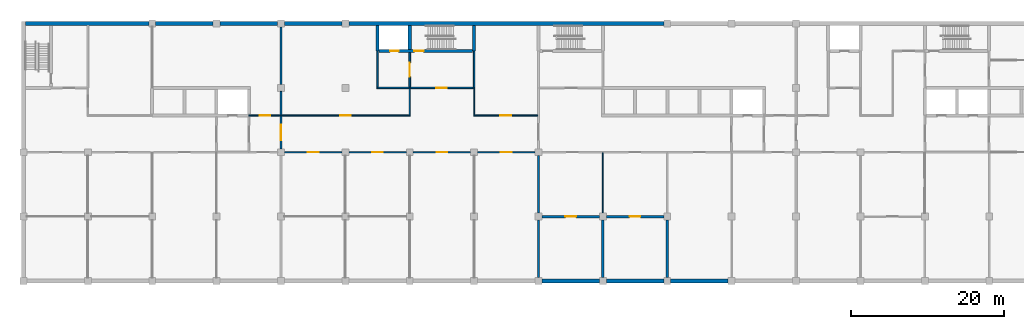
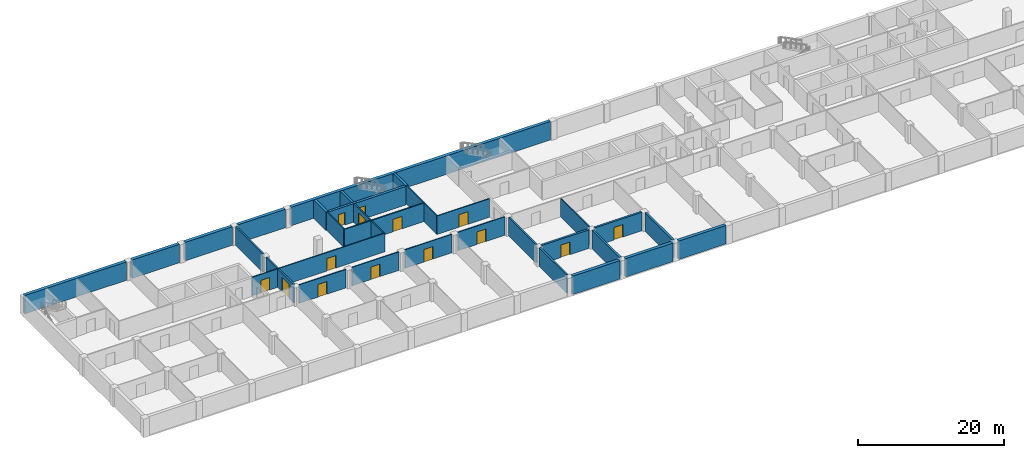
# One storey, part 3 of 12: 34 walls, 14 doors, 14 openings.
"""IFC4 building model written with IfcOpenShell, lengths in metres."""

from ifc_helpers import new_model, si_unit, direction, frame, frame_2d, origin, place, context, subcontext, project, spatial, rectangle, extrude, material, layer, layer_set, type_object, element, fill, save


model = new_model("IFC4")

# Units and contexts
model_context = context("Model", 3, precision=1e-05, world=origin(), true_north=direction((0.0, 1.0)))
body_context = subcontext(model_context, "Body", "Model", "MODEL_VIEW")
ifc_project = project(units=[si_unit("LENGTHUNIT", "METRE"), si_unit("AREAUNIT", "SQUARE_METRE"), si_unit("VOLUMEUNIT", "CUBIC_METRE"), si_unit("PLANEANGLEUNIT", "RADIAN"), si_unit("MASSUNIT", "GRAM", prefix="KILO")], contexts=[model_context])

# Site, building, storey
site_placement = place(None, origin())
site = spatial("IfcSite", under=ifc_project, at=site_placement, CompositionType="ELEMENT")
building_placement = place(site_placement, origin())
building = spatial("IfcBuilding", under=site, at=building_placement, Name="Yavir Park General Hospital", CompositionType="ELEMENT")
storey_placement = place(building_placement, frame((0.0, 0.0, -7.800048828125)))
storey = spatial("IfcBuildingStorey", under=building, at=storey_placement, Name="B2", CompositionType="ELEMENT", Elevation=-7.800048828125)

# Wall, opening, door
ifc_material_1 = material(Name="Block wall with 100 mm insulated panel lining")
ifc_layer_1 = layer(ifc_material_1, 0.320068359375)
ifc_layer_set_1 = layer_set([ifc_layer_1], Name="Block wall with 100 mm insulated panel lining")
wall_type_1 = type_object("IfcWallType", Name="Cold-store insulated wall 320, EI 60", PredefinedType="SOLIDWALL", material=ifc_layer_set_1)
wall_1_placement = place(storey_placement, frame((67.64990234375, 8.39990234375, 0.0), z_axis=(0.0, 0.0, 1.0), x_axis=(1.0, 0.0, 0.0)))
wall_1 = element("IfcWall", 1, at=wall_1_placement, inside=storey, type_object=wall_type_1, Name="CS320 B2-005", PredefinedType="SOLIDWALL", context=body_context, shape_type="SweptSolid", body=[
    extrude(rectangle(XDim=7.5, YDim=0.320068359375, at=frame_2d((3.75, 0.0))), origin(), (0.0, 0.0, 1.0), 3.10009765625),
])
opening_1_placement = place(wall_1_placement, frame((3.050048828125, 0.0, 0.0)))
opening_1 = element("IfcOpeningElement", 2, at=opening_1_placement, cuts=wall_1, Name="Opening B2.D005", PredefinedType="OPENING", context=body_context, shape_type="SweptSolid", body=[
    extrude(rectangle(XDim=1.39990234375, YDim=2.10009765625, at=frame_2d((0.699951171875, 1.050048828125))), frame((0.0, 0.169921875, 0.0), z_axis=(0.0, -1.0, 0.0), x_axis=(1.0, 0.0, 0.0)), (0.0, 0.0, 1.0), 0.340087890625),
])
ifc_material_2 = material(Name="Insulated sandwich-panel leaves, 100 mm polyurethane core")
door_type_1 = type_object("IfcDoorType", Name="Insulated cold-store door 1400 x 2100, EI 60", OperationType="DOUBLE_DOOR_SINGLE_SWING", PredefinedType="DOOR", material=ifc_material_2)
door_1_placement = place(opening_1_placement, origin())
door_1 = element("IfcDoor", 3, at=door_1_placement, inside=storey, type_object=door_type_1, Name="B2.D005", OperationType="SINGLE_SWING_LEFT", OverallHeight=2.10009765625, OverallWidth=1.39990234375, PredefinedType="DOOR", context=body_context, shape_type="SweptSolid", body=[
    extrude(rectangle(XDim=1.39990234375, YDim=2.10009765625, at=frame_2d((0.699951171875, 1.050048828125))), frame((0.0, 0.050048828125, 0.0), z_axis=(0.0, -1.0, 0.0), x_axis=(1.0, 0.0, 0.0)), (0.0, 0.0, 1.0), 0.10009765625),
])
fill(opening_1, door_1)

wall_2_placement = place(storey_placement, frame((76.050048828125, 8.39990234375, 0.0), z_axis=(0.0, 0.0, 1.0), x_axis=(1.0, 0.0, 0.0)))
wall_2 = element("IfcWall", 4, at=wall_2_placement, inside=storey, type_object=wall_type_1, Name="CS320 B2-006", PredefinedType="SOLIDWALL", context=body_context, shape_type="SweptSolid", body=[
    extrude(rectangle(XDim=7.5, YDim=0.320068359375, at=frame_2d((3.75, 0.0))), origin(), (0.0, 0.0, 1.0), 3.10009765625),
])
opening_2_placement = place(wall_2_placement, frame((3.050048828125, 0.0, 0.0)))
opening_2 = element("IfcOpeningElement", 5, at=opening_2_placement, cuts=wall_2, Name="Opening B2.D006", PredefinedType="OPENING", context=body_context, shape_type="SweptSolid", body=[
    extrude(rectangle(XDim=1.39990234375, YDim=2.10009765625, at=frame_2d((0.699951171875, 1.050048828125))), frame((0.0, 0.169921875, 0.0), z_axis=(0.0, -1.0, 0.0), x_axis=(1.0, 0.0, 0.0)), (0.0, 0.0, 1.0), 0.340087890625),
])
door_2_placement = place(opening_2_placement, origin())
door_2 = element("IfcDoor", 6, at=door_2_placement, inside=storey, type_object=door_type_1, Name="B2.D006", OperationType="SINGLE_SWING_LEFT", OverallHeight=2.10009765625, OverallWidth=1.39990234375, PredefinedType="DOOR", context=body_context, shape_type="SweptSolid", body=[
    extrude(rectangle(XDim=1.39990234375, YDim=2.10009765625, at=frame_2d((0.699951171875, 1.050048828125))), frame((0.0, 0.050048828125, 0.0), z_axis=(0.0, -1.0, 0.0), x_axis=(1.0, 0.0, 0.0)), (0.0, 0.0, 1.0), 0.10009765625),
])
fill(opening_2, door_2)

# Walls
for number, where, z_axis, x_axis, name in (
    (7, (75.60009765625, 0.449951171875, 0.0), (0.0, 0.0, 1.0), (0.0, 1.0, 0.0), "CS320 B2-093"),
    (8, (84.0, 0.449951171875, 0.0), (0.0, 0.0, 1.0), (0.0, 1.0, 0.0), "CS320 B2-099"),
):
    element("IfcWall", number, at=place(storey_placement, frame(where, z_axis=z_axis, x_axis=x_axis)), inside=storey, type_object=wall_type_1, Name=name, PredefinedType="SOLIDWALL", context=body_context, shape_type="SweptSolid", body=[
        extrude(rectangle(XDim=7.5, YDim=0.320068359375, at=frame_2d((3.75, 0.0))), origin(), (0.0, 0.0, 1.0), 3.10009765625),
    ])

# Wall, opening, door
ifc_material_3 = material(Name="Concrete C30/37", Category="concrete")
ifc_layer_2 = layer(ifc_material_3, 0.25)
ifc_layer_set_2 = layer_set([ifc_layer_2], Name="Concrete C30/37")
wall_type_2 = type_object("IfcWallType", Name="Compartment fire wall 250, REI 150", PredefinedType="SOLIDWALL", material=ifc_layer_set_2)
wall_3_placement = place(storey_placement, frame((33.60009765625, 17.25, 0.0), z_axis=(0.0, 0.0, 1.0), x_axis=(0.0, 1.0, 0.0)))
wall_3 = element("IfcWall", 9, at=wall_3_placement, inside=storey, type_object=wall_type_2, Name="FW25 B2-072", PredefinedType="SOLIDWALL", context=body_context, shape_type="SweptSolid", body=[
    extrude(rectangle(XDim=4.27490234375, YDim=0.25, at=frame_2d((2.137451171875, 0.0))), origin(), (0.0, 0.0, 1.0), 3.10009765625),
])
opening_3_placement = place(wall_3_placement, frame((1.137451171875, 0.0, 0.0)))
opening_3 = element("IfcOpeningElement", 10, at=opening_3_placement, cuts=wall_3, Name="Opening B2.D058", PredefinedType="OPENING", context=body_context, shape_type="SweptSolid", body=[
    extrude(rectangle(XDim=2.0, YDim=2.39990234375, at=frame_2d((1.0, 1.199951171875))), frame((0.0, 0.135009765625, 0.0), z_axis=(0.0, -1.0, 0.0), x_axis=(1.0, 0.0, 0.0)), (0.0, 0.0, 1.0), 0.27001953125),
])
ifc_material_4 = material(Name="Steel frame, fire-resisting leaves with vision panels", Category="steel")
door_type_2 = type_object("IfcDoorType", Name="Double fire door with vision panels 2000 x 2400, EI 60", OperationType="DOUBLE_DOOR_SINGLE_SWING", PredefinedType="DOOR", material=ifc_material_4)
door_3_placement = place(opening_3_placement, origin())
door_3 = element("IfcDoor", 11, at=door_3_placement, inside=storey, type_object=door_type_2, Name="B2.D058", OperationType="SINGLE_SWING_LEFT", OverallHeight=2.39990234375, OverallWidth=2.0, PredefinedType="DOOR", context=body_context, shape_type="SweptSolid", body=[
    extrude(rectangle(XDim=2.0, YDim=2.39990234375, at=frame_2d((1.0, 1.199951171875))), frame((0.0, 0.030029296875, 0.0), z_axis=(0.0, -1.0, 0.0), x_axis=(1.0, 0.0, 0.0)), (0.0, 0.0, 1.0), 0.06005859375),
])
fill(opening_3, door_3)

# Walls
wall_4_placement = place(storey_placement, frame((33.60009765625, 21.675048828125, 0.0), z_axis=(0.0, 0.0, 1.0), x_axis=(0.0, 1.0, 0.0)))
element("IfcWall", 12, at=wall_4_placement, inside=storey, type_object=wall_type_2, Name="FW25 B2-073", PredefinedType="SOLIDWALL", context=body_context, shape_type="SweptSolid", body=[
    extrude(rectangle(XDim=3.074951171875, YDim=0.25, at=frame_2d((1.53759765625, 0.0))), origin(), (0.0, 0.0, 1.0), 3.10009765625),
])
for number, where, z_axis, x_axis, name in (
    (13, (33.60009765625, 25.64990234375, 0.0), (0.0, 0.0, 1.0), (0.0, 1.0, 0.0), "FW25 B2-074"),
    (14, (67.199951171875, 0.449951171875, 0.0), (0.0, 0.0, 1.0), (0.0, 1.0, 0.0), "FW25 B2-089"),
    (15, (67.199951171875, 8.85009765625, 0.0), (0.0, 0.0, 1.0), (0.0, 1.0, 0.0), "FW25 B2-090"),
):
    element("IfcWall", number, at=place(storey_placement, frame(where, z_axis=z_axis, x_axis=x_axis)), inside=storey, type_object=wall_type_2, Name=name, PredefinedType="SOLIDWALL", context=body_context, shape_type="SweptSolid", body=[
        extrude(rectangle(XDim=7.5, YDim=0.25, at=frame_2d((3.75, 0.0))), origin(), (0.0, 0.0, 1.0), 3.10009765625),
    ])

# Wall, opening, door
ifc_material_5 = material(Name="Double gypsum board fire partition on steel studs", Category="steel")
ifc_layer_3 = layer(ifc_material_5, 0.199951171875)
ifc_layer_set_3 = layer_set([ifc_layer_3], Name="Double gypsum board fire partition on steel studs")
wall_type_3 = type_object("IfcWallType", Name="Fire-rated partition 200, EI 60", PredefinedType="PARTITIONING", material=ifc_layer_set_3)
wall_5_placement = place(storey_placement, frame((46.10009765625, 25.199951171875, 0.0), z_axis=(0.0, 0.0, 1.0), x_axis=(1.0, 0.0, 0.0)))
wall_5 = element("IfcWall", 16, at=wall_5_placement, inside=storey, type_object=wall_type_3, Name="FP20 B2-040", PredefinedType="PARTITIONING", context=body_context, shape_type="SweptSolid", body=[
    extrude(rectangle(XDim=12.599853515625, YDim=0.199951171875, at=frame_2d((6.2998046875, 0.0))), origin(), (0.0, 0.0, 1.0), 3.10009765625),
])
opening_4_placement = place(wall_5_placement, frame((7.75, 0.0, 0.0)))
opening_4 = element("IfcOpeningElement", 17, at=opening_4_placement, cuts=wall_5, Name="Opening B2.D041", PredefinedType="OPENING", context=body_context, shape_type="SweptSolid", body=[
    extrude(rectangle(XDim=1.39990234375, YDim=2.10009765625, at=frame_2d((0.699951171875, 1.050048828125))), frame((0.0, 0.10986328125, 0.0), z_axis=(0.0, -1.0, 0.0), x_axis=(1.0, 0.0, 0.0)), (0.0, 0.0, 1.0), 0.219970703125),
])
ifc_material_6 = material(Name="Steel frame, fire-resisting leaves with vision panels", Category="steel")
door_type_3 = type_object("IfcDoorType", Name="Double fire door with vision panels 1400 x 2100, EI 60", OperationType="DOUBLE_DOOR_SINGLE_SWING", PredefinedType="DOOR", material=ifc_material_6)
door_4_placement = place(opening_4_placement, origin())
door_4 = element("IfcDoor", 18, at=door_4_placement, inside=storey, type_object=door_type_3, Name="B2.D041", OperationType="SINGLE_SWING_RIGHT", OverallHeight=2.10009765625, OverallWidth=1.39990234375, PredefinedType="DOOR", context=body_context, shape_type="SweptSolid", body=[
    extrude(rectangle(XDim=1.39990234375, YDim=2.10009765625, at=frame_2d((0.699951171875, 1.050048828125))), frame((0.0, 0.030029296875, 0.0), z_axis=(0.0, -1.0, 0.0), x_axis=(1.0, 0.0, 0.0)), (0.0, 0.0, 1.0), 0.06005859375),
])
fill(opening_4, door_4)

# Wall
wall_6_placement = place(storey_placement, frame((46.199951171875, 25.300048828125, 0.0), z_axis=(0.0, 0.0, 1.0), x_axis=(0.0, 1.0, 0.0)))
element("IfcWall", 19, at=wall_6_placement, inside=storey, type_object=wall_type_3, Name="FP20 B2-077", PredefinedType="PARTITIONING", context=body_context, shape_type="SweptSolid", body=[
    extrude(rectangle(XDim=4.699951171875, YDim=0.199951171875, at=frame_2d((2.35009765625, 0.0))), origin(), (0.0, 0.0, 1.0), 3.10009765625),
])

# Wall, opening, door
wall_7_placement = place(storey_placement, frame((50.39990234375, 25.300048828125, 0.0), z_axis=(0.0, 0.0, 1.0), x_axis=(0.0, 1.0, 0.0)))
wall_7 = element("IfcWall", 20, at=wall_7_placement, inside=storey, type_object=wall_type_3, Name="FP20 B2-082", PredefinedType="PARTITIONING", context=body_context, shape_type="SweptSolid", body=[
    extrude(rectangle(XDim=4.5, YDim=0.199951171875, at=frame_2d((2.25, 0.0))), origin(), (0.0, 0.0, 1.0), 3.10009765625),
])
opening_5_placement = place(wall_7_placement, frame((1.35009765625, 0.0, 0.0)))
opening_5 = element("IfcOpeningElement", 21, at=opening_5_placement, cuts=wall_7, Name="Opening B2.D059", PredefinedType="OPENING", context=body_context, shape_type="SweptSolid", body=[
    extrude(rectangle(XDim=1.800048828125, YDim=2.39990234375, at=frame_2d((0.89990234375, 1.199951171875))), frame((0.0, 0.10986328125, 0.0), z_axis=(0.0, -1.0, 0.0), x_axis=(1.0, 0.0, 0.0)), (0.0, 0.0, 1.0), 0.219970703125),
])
ifc_material_7 = material(Name="Steel frame, fire-resisting timber leaves", Category="steel")
door_type_4 = type_object("IfcDoorType", Name="Double fire door 1800 x 2400, EI 60", OperationType="DOUBLE_DOOR_SINGLE_SWING", PredefinedType="DOOR", material=ifc_material_7)
door_5_placement = place(opening_5_placement, origin())
door_5 = element("IfcDoor", 22, at=door_5_placement, inside=storey, type_object=door_type_4, Name="B2.D059", OperationType="SINGLE_SWING_LEFT", OverallHeight=2.39990234375, OverallWidth=1.800048828125, PredefinedType="DOOR", context=body_context, shape_type="SweptSolid", body=[
    extrude(rectangle(XDim=1.800048828125, YDim=2.39990234375, at=frame_2d((0.89990234375, 1.199951171875))), frame((0.0, 0.02490234375, 0.0), z_axis=(0.0, -1.0, 0.0), x_axis=(1.0, 0.0, 0.0)), (0.0, 0.0, 1.0), 0.050048828125),
])
fill(opening_5, door_5)

# Wall
wall_8_placement = place(storey_placement, frame((58.800048828125, 25.199951171875, 0.0), z_axis=(0.0, 0.0, 1.0), x_axis=(0.0, 1.0, 0.0)))
element("IfcWall", 23, at=wall_8_placement, inside=storey, type_object=wall_type_3, Name="FP20 B2-087", PredefinedType="PARTITIONING", context=body_context, shape_type="SweptSolid", body=[
    extrude(rectangle(XDim=4.800048828125, YDim=0.199951171875, at=frame_2d((2.39990234375, 0.0))), origin(), (0.0, 0.0, 1.0), 3.10009765625),
])

# Wall, opening, door
ifc_material_8 = material(Name="Gypsum board partition on steel studs", Category="steel")
ifc_layer_4 = layer(ifc_material_8, 0.14990234375)
ifc_layer_set_4 = layer_set([ifc_layer_4], Name="Gypsum board partition on steel studs")
wall_type_4 = type_object("IfcWallType", Name="Gypsum board partition 150", PredefinedType="PARTITIONING", material=ifc_layer_set_4)
wall_9_placement = place(storey_placement, frame((34.050048828125, 16.800048828125, 0.0), z_axis=(0.0, 0.0, 1.0), x_axis=(1.0, 0.0, 0.0)))
wall_9 = element("IfcWall", 24, at=wall_9_placement, inside=storey, type_object=wall_type_4, Name="P15 B2-015", PredefinedType="PARTITIONING", context=body_context, shape_type="SweptSolid", body=[
    extrude(rectangle(XDim=7.5, YDim=0.14990234375, at=frame_2d((3.75, 0.0))), origin(), (0.0, 0.0, 1.0), 3.10009765625),
])
opening_6_placement = place(wall_9_placement, frame((3.050048828125, 0.0, 0.0)))
opening_6 = element("IfcOpeningElement", 25, at=opening_6_placement, cuts=wall_9, Name="Opening B2.D014", PredefinedType="OPENING", context=body_context, shape_type="SweptSolid", body=[
    extrude(rectangle(XDim=1.39990234375, YDim=2.10009765625, at=frame_2d((0.699951171875, 1.050048828125))), frame((0.0, 0.0849609375, 0.0), z_axis=(0.0, -1.0, 0.0), x_axis=(1.0, 0.0, 0.0)), (0.0, 0.0, 1.0), 0.169921875),
])
ifc_material_9 = material(Name="Hollow metal frame, solid-core timber leaf", Category="wood")
door_type_5 = type_object("IfcDoorType", Name="Double swing door 1400 x 2100", OperationType="DOUBLE_DOOR_SINGLE_SWING", PredefinedType="DOOR", material=ifc_material_9)
door_6_placement = place(opening_6_placement, origin())
door_6 = element("IfcDoor", 26, at=door_6_placement, inside=storey, type_object=door_type_5, Name="B2.D014", OperationType="SINGLE_SWING_LEFT", OverallHeight=2.10009765625, OverallWidth=1.39990234375, PredefinedType="DOOR", context=body_context, shape_type="SweptSolid", body=[
    extrude(rectangle(XDim=1.39990234375, YDim=2.10009765625, at=frame_2d((0.699951171875, 1.050048828125))), frame((0.0, 0.02490234375, 0.0), z_axis=(0.0, -1.0, 0.0), x_axis=(1.0, 0.0, 0.0)), (0.0, 0.0, 1.0), 0.050048828125),
])
fill(opening_6, door_6)

wall_10_placement = place(storey_placement, frame((42.449951171875, 16.800048828125, 0.0), z_axis=(0.0, 0.0, 1.0), x_axis=(1.0, 0.0, 0.0)))
wall_10 = element("IfcWall", 27, at=wall_10_placement, inside=storey, type_object=wall_type_4, Name="P15 B2-016", PredefinedType="PARTITIONING", context=body_context, shape_type="SweptSolid", body=[
    extrude(rectangle(XDim=7.5, YDim=0.14990234375, at=frame_2d((3.75, 0.0))), origin(), (0.0, 0.0, 1.0), 3.10009765625),
])
opening_7_placement = place(wall_10_placement, frame((3.050048828125, 0.0, 0.0)))
opening_7 = element("IfcOpeningElement", 28, at=opening_7_placement, cuts=wall_10, Name="Opening B2.D015", PredefinedType="OPENING", context=body_context, shape_type="SweptSolid", body=[
    extrude(rectangle(XDim=1.39990234375, YDim=2.10009765625, at=frame_2d((0.699951171875, 1.050048828125))), frame((0.0, 0.0849609375, 0.0), z_axis=(0.0, -1.0, 0.0), x_axis=(1.0, 0.0, 0.0)), (0.0, 0.0, 1.0), 0.169921875),
])
door_7_placement = place(opening_7_placement, origin())
door_7 = element("IfcDoor", 29, at=door_7_placement, inside=storey, type_object=door_type_5, Name="B2.D015", OperationType="SINGLE_SWING_LEFT", OverallHeight=2.10009765625, OverallWidth=1.39990234375, PredefinedType="DOOR", context=body_context, shape_type="SweptSolid", body=[
    extrude(rectangle(XDim=1.39990234375, YDim=2.10009765625, at=frame_2d((0.699951171875, 1.050048828125))), frame((0.0, 0.02490234375, 0.0), z_axis=(0.0, -1.0, 0.0), x_axis=(1.0, 0.0, 0.0)), (0.0, 0.0, 1.0), 0.050048828125),
])
fill(opening_7, door_7)

wall_11_placement = place(storey_placement, frame((50.85009765625, 16.800048828125, 0.0), z_axis=(0.0, 0.0, 1.0), x_axis=(1.0, 0.0, 0.0)))
wall_11 = element("IfcWall", 30, at=wall_11_placement, inside=storey, type_object=wall_type_4, Name="P15 B2-017", PredefinedType="PARTITIONING", context=body_context, shape_type="SweptSolid", body=[
    extrude(rectangle(XDim=7.5, YDim=0.14990234375, at=frame_2d((3.75, 0.0))), origin(), (0.0, 0.0, 1.0), 3.10009765625),
])
opening_8_placement = place(wall_11_placement, frame((3.050048828125, 0.0, 0.0)))
opening_8 = element("IfcOpeningElement", 31, at=opening_8_placement, cuts=wall_11, Name="Opening B2.D016", PredefinedType="OPENING", context=body_context, shape_type="SweptSolid", body=[
    extrude(rectangle(XDim=1.39990234375, YDim=2.10009765625, at=frame_2d((0.699951171875, 1.050048828125))), frame((0.0, 0.0849609375, 0.0), z_axis=(0.0, -1.0, 0.0), x_axis=(1.0, 0.0, 0.0)), (0.0, 0.0, 1.0), 0.169921875),
])
door_8_placement = place(opening_8_placement, origin())
door_8 = element("IfcDoor", 32, at=door_8_placement, inside=storey, type_object=door_type_5, Name="B2.D016", OperationType="SINGLE_SWING_LEFT", OverallHeight=2.10009765625, OverallWidth=1.39990234375, PredefinedType="DOOR", context=body_context, shape_type="SweptSolid", body=[
    extrude(rectangle(XDim=1.39990234375, YDim=2.10009765625, at=frame_2d((0.699951171875, 1.050048828125))), frame((0.0, 0.02490234375, 0.0), z_axis=(0.0, -1.0, 0.0), x_axis=(1.0, 0.0, 0.0)), (0.0, 0.0, 1.0), 0.050048828125),
])
fill(opening_8, door_8)

wall_12_placement = place(storey_placement, frame((59.25, 16.800048828125, 0.0), z_axis=(0.0, 0.0, 1.0), x_axis=(1.0, 0.0, 0.0)))
wall_12 = element("IfcWall", 33, at=wall_12_placement, inside=storey, type_object=wall_type_4, Name="P15 B2-018", PredefinedType="PARTITIONING", context=body_context, shape_type="SweptSolid", body=[
    extrude(rectangle(XDim=7.5, YDim=0.14990234375, at=frame_2d((3.75, 0.0))), origin(), (0.0, 0.0, 1.0), 3.10009765625),
])
opening_9_placement = place(wall_12_placement, frame((3.050048828125, 0.0, 0.0)))
opening_9 = element("IfcOpeningElement", 34, at=opening_9_placement, cuts=wall_12, Name="Opening B2.D017", PredefinedType="OPENING", context=body_context, shape_type="SweptSolid", body=[
    extrude(rectangle(XDim=1.39990234375, YDim=2.10009765625, at=frame_2d((0.699951171875, 1.050048828125))), frame((0.0, 0.0849609375, 0.0), z_axis=(0.0, -1.0, 0.0), x_axis=(1.0, 0.0, 0.0)), (0.0, 0.0, 1.0), 0.169921875),
])
door_9_placement = place(opening_9_placement, origin())
door_9 = element("IfcDoor", 35, at=door_9_placement, inside=storey, type_object=door_type_5, Name="B2.D017", OperationType="SINGLE_SWING_LEFT", OverallHeight=2.10009765625, OverallWidth=1.39990234375, PredefinedType="DOOR", context=body_context, shape_type="SweptSolid", body=[
    extrude(rectangle(XDim=1.39990234375, YDim=2.10009765625, at=frame_2d((0.699951171875, 1.050048828125))), frame((0.0, 0.02490234375, 0.0), z_axis=(0.0, -1.0, 0.0), x_axis=(1.0, 0.0, 0.0)), (0.0, 0.0, 1.0), 0.050048828125),
])
fill(opening_9, door_9)

# Wall, openings, doors
wall_13_placement = place(storey_placement, frame((29.39990234375, 21.60009765625, 0.0), z_axis=(0.0, 0.0, 1.0), x_axis=(1.0, 0.0, 0.0)))
wall_13 = element("IfcWall", 36, at=wall_13_placement, inside=storey, type_object=wall_type_4, Name="P15 B2-030", PredefinedType="PARTITIONING", context=body_context, shape_type="SweptSolid", body=[
    extrude(rectangle(XDim=21.0751953125, YDim=0.14990234375, at=frame_2d((10.53759765625, 0.0))), origin(), (0.0, 0.0, 1.0), 3.10009765625),
])
opening_10_placement = place(wall_13_placement, frame((1.39990234375, 0.0, 0.0)))
opening_10 = element("IfcOpeningElement", 37, at=opening_10_placement, cuts=wall_13, Name="Opening B2.D031", PredefinedType="OPENING", context=body_context, shape_type="SweptSolid", body=[
    extrude(rectangle(XDim=1.39990234375, YDim=2.10009765625, at=frame_2d((0.699951171875, 1.050048828125))), frame((0.0, 0.0849609375, 0.0), z_axis=(0.0, -1.0, 0.0), x_axis=(1.0, 0.0, 0.0)), (0.0, 0.0, 1.0), 0.169921875),
])
opening_11_placement = place(wall_13_placement, frame((11.89990234375, 0.0, 0.0)))
opening_11 = element("IfcOpeningElement", 38, at=opening_11_placement, cuts=wall_13, Name="Opening B2.D032", PredefinedType="OPENING", context=body_context, shape_type="SweptSolid", body=[
    extrude(rectangle(XDim=1.39990234375, YDim=2.10009765625, at=frame_2d((0.699951171875, 1.050048828125))), frame((0.0, 0.0849609375, 0.0), z_axis=(0.0, -1.0, 0.0), x_axis=(1.0, 0.0, 0.0)), (0.0, 0.0, 1.0), 0.169921875),
])
door_10_placement = place(opening_10_placement, origin())
door_10 = element("IfcDoor", 39, at=door_10_placement, inside=storey, type_object=door_type_5, Name="B2.D031", OperationType="SINGLE_SWING_LEFT", OverallHeight=2.10009765625, OverallWidth=1.39990234375, PredefinedType="DOOR", context=body_context, shape_type="SweptSolid", body=[
    extrude(rectangle(XDim=1.39990234375, YDim=2.10009765625, at=frame_2d((0.699951171875, 1.050048828125))), frame((0.0, 0.02490234375, 0.0), z_axis=(0.0, -1.0, 0.0), x_axis=(1.0, 0.0, 0.0)), (0.0, 0.0, 1.0), 0.050048828125),
])
fill(opening_10, door_10)
door_11_placement = place(opening_11_placement, origin())
door_11 = element("IfcDoor", 40, at=door_11_placement, inside=storey, type_object=door_type_5, Name="B2.D032", OperationType="SINGLE_SWING_RIGHT", OverallHeight=2.10009765625, OverallWidth=1.39990234375, PredefinedType="DOOR", context=body_context, shape_type="SweptSolid", body=[
    extrude(rectangle(XDim=1.39990234375, YDim=2.10009765625, at=frame_2d((0.699951171875, 1.050048828125))), frame((0.0, 0.02490234375, 0.0), z_axis=(0.0, -1.0, 0.0), x_axis=(1.0, 0.0, 0.0)), (0.0, 0.0, 1.0), 0.050048828125),
])
fill(opening_11, door_11)

# Wall, opening, door
wall_14_placement = place(storey_placement, frame((58.72509765625, 21.60009765625, 0.0), z_axis=(0.0, 0.0, 1.0), x_axis=(1.0, 0.0, 0.0)))
wall_14 = element("IfcWall", 41, at=wall_14_placement, inside=storey, type_object=wall_type_4, Name="P15 B2-031", PredefinedType="PARTITIONING", context=body_context, shape_type="SweptSolid", body=[
    extrude(rectangle(XDim=8.349853515625, YDim=0.14990234375, at=frame_2d((4.1748046875, 0.0))), origin(), (0.0, 0.0, 1.0), 3.10009765625),
])
opening_12_placement = place(wall_14_placement, frame((3.512451171875, 0.0, 0.0)))
opening_12 = element("IfcOpeningElement", 42, at=opening_12_placement, cuts=wall_14, Name="Opening B2.D033", PredefinedType="OPENING", context=body_context, shape_type="SweptSolid", body=[
    extrude(rectangle(XDim=1.39990234375, YDim=2.10009765625, at=frame_2d((0.699951171875, 1.050048828125))), frame((0.0, 0.0849609375, 0.0), z_axis=(0.0, -1.0, 0.0), x_axis=(1.0, 0.0, 0.0)), (0.0, 0.0, 1.0), 0.169921875),
])
door_12_placement = place(opening_12_placement, origin())
door_12 = element("IfcDoor", 43, at=door_12_placement, inside=storey, type_object=door_type_5, Name="B2.D033", OperationType="SINGLE_SWING_RIGHT", OverallHeight=2.10009765625, OverallWidth=1.39990234375, PredefinedType="DOOR", context=body_context, shape_type="SweptSolid", body=[
    extrude(rectangle(XDim=1.39990234375, YDim=2.10009765625, at=frame_2d((0.699951171875, 1.050048828125))), frame((0.0, 0.02490234375, 0.0), z_axis=(0.0, -1.0, 0.0), x_axis=(1.0, 0.0, 0.0)), (0.0, 0.0, 1.0), 0.050048828125),
])
fill(opening_12, door_12)

# Walls
wall_15_placement = place(storey_placement, frame((50.39990234375, 21.675048828125, 0.0), z_axis=(0.0, 0.0, 1.0), x_axis=(0.0, 1.0, 0.0)))
element("IfcWall", 44, at=wall_15_placement, inside=storey, type_object=wall_type_4, Name="P15 B2-081", PredefinedType="PARTITIONING", context=body_context, shape_type="SweptSolid", body=[
    extrude(rectangle(XDim=3.425048828125, YDim=0.14990234375, at=frame_2d((1.71240234375, 0.0))), origin(), (0.0, 0.0, 1.0), 3.10009765625),
])
wall_16_placement = place(storey_placement, frame((58.800048828125, 21.675048828125, 0.0), z_axis=(0.0, 0.0, 1.0), x_axis=(0.0, 1.0, 0.0)))
element("IfcWall", 45, at=wall_16_placement, inside=storey, type_object=wall_type_4, Name="P15 B2-086", PredefinedType="PARTITIONING", context=body_context, shape_type="SweptSolid", body=[
    extrude(rectangle(XDim=3.52490234375, YDim=0.14990234375, at=frame_2d((1.762451171875, 0.0))), origin(), (0.0, 0.0, 1.0), 3.10009765625),
])
wall_17_placement = place(storey_placement, frame((75.60009765625, 8.85009765625, 0.0), z_axis=(0.0, 0.0, 1.0), x_axis=(0.0, 1.0, 0.0)))
element("IfcWall", 46, at=wall_17_placement, inside=storey, type_object=wall_type_4, Name="P15 B2-094", PredefinedType="PARTITIONING", context=body_context, shape_type="SweptSolid", body=[
    extrude(rectangle(XDim=7.875, YDim=0.14990234375, at=frame_2d((3.9375, 0.0))), origin(), (0.0, 0.0, 1.0), 3.10009765625),
])
ifc_material_10 = material(Name="Concrete C35/45", Category="concrete")
ifc_layer_5 = layer(ifc_material_10, 0.5)
ifc_layer_set_5 = layer_set([ifc_layer_5], Name="Concrete C35/45")
wall_type_5 = type_object("IfcWallType", Name="RC WALL RETAINING 500", PredefinedType="SOLIDWALL", material=ifc_layer_set_5)
for number, where, z_axis, x_axis, name in (
    (47, (67.64990234375, 0.0, 0.0), (0.0, 0.0, 1.0), (1.0, 0.0, 0.0), "W:RET:B2:S8"),
    (48, (76.050048828125, 0.0, 0.0), (0.0, 0.0, 1.0), (1.0, 0.0, 0.0), "W:RET:B2:S9"),
    (49, (84.449951171875, 0.0, 0.0), (0.0, 0.0, 1.0), (1.0, 0.0, 0.0), "W:RET:B2:S10"),
):
    element("IfcWall", number, at=place(storey_placement, frame(where, z_axis=z_axis, x_axis=x_axis)), inside=storey, type_object=wall_type_5, Name=name, PredefinedType="SOLIDWALL", context=body_context, shape_type="SweptSolid", body=[
        extrude(rectangle(XDim=7.5, YDim=0.5, at=frame_2d((3.75, 0.0))), origin(), (0.0, 0.0, 1.0), 3.10009765625),
    ])
wall_18_placement = place(storey_placement, frame((0.25, 33.60009765625, 0.0), z_axis=(0.0, 0.0, 1.0), x_axis=(1.0, 0.0, 0.0)))
element("IfcWall", 50, at=wall_18_placement, inside=storey, type_object=wall_type_5, Name="W:RET:B2:N20", PredefinedType="SOLIDWALL", context=body_context, shape_type="SweptSolid", body=[
    extrude(rectangle(XDim=16.10009765625, YDim=0.5, at=frame_2d((8.050048828125, 0.0))), origin(), (0.0, 0.0, 1.0), 3.10009765625),
])
for number, where, z_axis, x_axis, name in (
    (51, (17.25, 33.60009765625, 0.0), (0.0, 0.0, 1.0), (1.0, 0.0, 0.0), "W:RET:B2:N21"),
    (52, (25.64990234375, 33.60009765625, 0.0), (0.0, 0.0, 1.0), (1.0, 0.0, 0.0), "W:RET:B2:N22"),
    (53, (34.050048828125, 33.60009765625, 0.0), (0.0, 0.0, 1.0), (1.0, 0.0, 0.0), "W:RET:B2:N23"),
):
    element("IfcWall", number, at=place(storey_placement, frame(where, z_axis=z_axis, x_axis=x_axis)), inside=storey, type_object=wall_type_5, Name=name, PredefinedType="SOLIDWALL", context=body_context, shape_type="SweptSolid", body=[
        extrude(rectangle(XDim=7.5, YDim=0.5, at=frame_2d((3.75, 0.0))), origin(), (0.0, 0.0, 1.0), 3.10009765625),
    ])
wall_19_placement = place(storey_placement, frame((42.449951171875, 33.60009765625, 0.0), z_axis=(0.0, 0.0, 1.0), x_axis=(1.0, 0.0, 0.0)))
element("IfcWall", 54, at=wall_19_placement, inside=storey, type_object=wall_type_5, Name="W:RET:B2:N24", PredefinedType="SOLIDWALL", context=body_context, shape_type="SweptSolid", body=[
    extrude(rectangle(XDim=41.10009765625, YDim=0.5, at=frame_2d((20.550048828125, 0.0))), origin(), (0.0, 0.0, 1.0), 3.10009765625),
])

# Wall, openings, doors
ifc_material_11 = material(Name="Concrete C35/45", Category="concrete")
ifc_layer_6 = layer(ifc_material_11, 0.39990234375)
ifc_layer_set_6 = layer_set([ifc_layer_6], Name="Concrete C35/45")
wall_type_6 = type_object("IfcWallType", Name="Reinforced concrete core wall 400, REI 150", PredefinedType="SHEAR", material=ifc_layer_set_6)
wall_20_placement = place(storey_placement, frame((46.39990234375, 30.0, 0.0), z_axis=(0.0, 0.0, 1.0), x_axis=(1.0, 0.0, 0.0)))
wall_20 = element("IfcWall", 55, at=wall_20_placement, inside=storey, type_object=wall_type_6, Name="CW40 B2-048", PredefinedType="SHEAR", context=body_context, shape_type="SweptSolid", body=[
    extrude(rectangle(XDim=12.2001953125, YDim=0.39990234375, at=frame_2d((6.10009765625, 0.0))), origin(), (0.0, 0.0, 1.0), 3.10009765625),
])
opening_13_placement = place(wall_20_placement, frame((1.449951171875, 0.0, 0.0)))
opening_13 = element("IfcOpeningElement", 56, at=opening_13_placement, cuts=wall_20, Name="Opening B2.D047", PredefinedType="OPENING", context=body_context, shape_type="SweptSolid", body=[
    extrude(rectangle(XDim=1.10009765625, YDim=2.10009765625, at=frame_2d((0.550048828125, 1.050048828125))), frame((0.0, 0.2099609375, 0.0), z_axis=(0.0, -1.0, 0.0), x_axis=(1.0, 0.0, 0.0)), (0.0, 0.0, 1.0), 0.419921875),
])
opening_14_placement = place(wall_20_placement, frame((4.60009765625, 0.0, 0.0)))
opening_14 = element("IfcOpeningElement", 57, at=opening_14_placement, cuts=wall_20, Name="Opening B2.D048", PredefinedType="OPENING", context=body_context, shape_type="SweptSolid", body=[
    extrude(rectangle(XDim=1.199951171875, YDim=2.10009765625, at=frame_2d((0.60009765625, 1.050048828125))), frame((0.0, 0.2099609375, 0.0), z_axis=(0.0, -1.0, 0.0), x_axis=(1.0, 0.0, 0.0)), (0.0, 0.0, 1.0), 0.419921875),
])
ifc_material_12 = material(Name="Steel frame, fire-resisting timber leaf", Category="steel")
door_type_6 = type_object("IfcDoorType", Name="Fire door 1200 x 2100, EI 60", OperationType="SINGLE_SWING_LEFT", PredefinedType="DOOR", material=ifc_material_12)
door_13_placement = place(opening_14_placement, origin())
door_13 = element("IfcDoor", 58, at=door_13_placement, inside=storey, type_object=door_type_6, Name="B2.D048", OperationType="SINGLE_SWING_RIGHT", OverallHeight=2.10009765625, OverallWidth=1.199951171875, PredefinedType="DOOR", context=body_context, shape_type="SweptSolid", body=[
    extrude(rectangle(XDim=1.199951171875, YDim=2.10009765625, at=frame_2d((0.60009765625, 1.050048828125))), frame((0.0, 0.02490234375, 0.0), z_axis=(0.0, -1.0, 0.0), x_axis=(1.0, 0.0, 0.0)), (0.0, 0.0, 1.0), 0.050048828125),
])
fill(opening_14, door_13)
ifc_material_13 = material(Name="Stainless steel landing door panels", Category="steel")
door_type_7 = type_object("IfcDoorType", Name="Lift landing door 1100 x 2100, EI 60", OperationType="SLIDING_TO_LEFT", PredefinedType="DOOR", material=ifc_material_13)
door_14_placement = place(opening_13_placement, origin())
door_14 = element("IfcDoor", 59, at=door_14_placement, inside=storey, type_object=door_type_7, Name="B2.D047", OperationType="SLIDING_TO_LEFT", OverallHeight=2.10009765625, OverallWidth=1.10009765625, PredefinedType="DOOR", context=body_context, shape_type="SweptSolid", body=[
    extrude(rectangle(XDim=1.10009765625, YDim=2.10009765625, at=frame_2d((0.550048828125, 1.050048828125))), frame((0.0, 0.02490234375, 0.0), z_axis=(0.0, -1.0, 0.0), x_axis=(1.0, 0.0, 0.0)), (0.0, 0.0, 1.0), 0.050048828125),
])
fill(opening_13, door_14)

# Walls
wall_21_placement = place(storey_placement, frame((46.199951171875, 30.0, 0.0), z_axis=(0.0, 0.0, 1.0), x_axis=(0.0, 1.0, 0.0)))
element("IfcWall", 60, at=wall_21_placement, inside=storey, type_object=wall_type_6, Name="CW40 B2-078", PredefinedType="SHEAR", context=body_context, shape_type="SweptSolid", body=[
    extrude(rectangle(XDim=3.35009765625, YDim=0.39990234375, at=frame_2d((1.675048828125, 0.0))), origin(), (0.0, 0.0, 1.0), 3.10009765625),
])
wall_22_placement = place(storey_placement, frame((50.39990234375, 30.199951171875, 0.0), z_axis=(0.0, 0.0, 1.0), x_axis=(0.0, 1.0, 0.0)))
element("IfcWall", 61, at=wall_22_placement, inside=storey, type_object=wall_type_6, Name="CW40 B2-083", PredefinedType="SHEAR", context=body_context, shape_type="SweptSolid", body=[
    extrude(rectangle(XDim=3.150146484375, YDim=0.39990234375, at=frame_2d((1.5751953125, 0.0))), origin(), (0.0, 0.0, 1.0), 3.10009765625),
])
wall_23_placement = place(storey_placement, frame((58.800048828125, 30.0, 0.0), z_axis=(0.0, 0.0, 1.0), x_axis=(0.0, 1.0, 0.0)))
element("IfcWall", 62, at=wall_23_placement, inside=storey, type_object=wall_type_6, Name="CW40 B2-088", PredefinedType="SHEAR", context=body_context, shape_type="SweptSolid", body=[
    extrude(rectangle(XDim=3.35009765625, YDim=0.39990234375, at=frame_2d((1.675048828125, 0.0))), origin(), (0.0, 0.0, 1.0), 3.10009765625),
])

save(model, "model.ifc")
